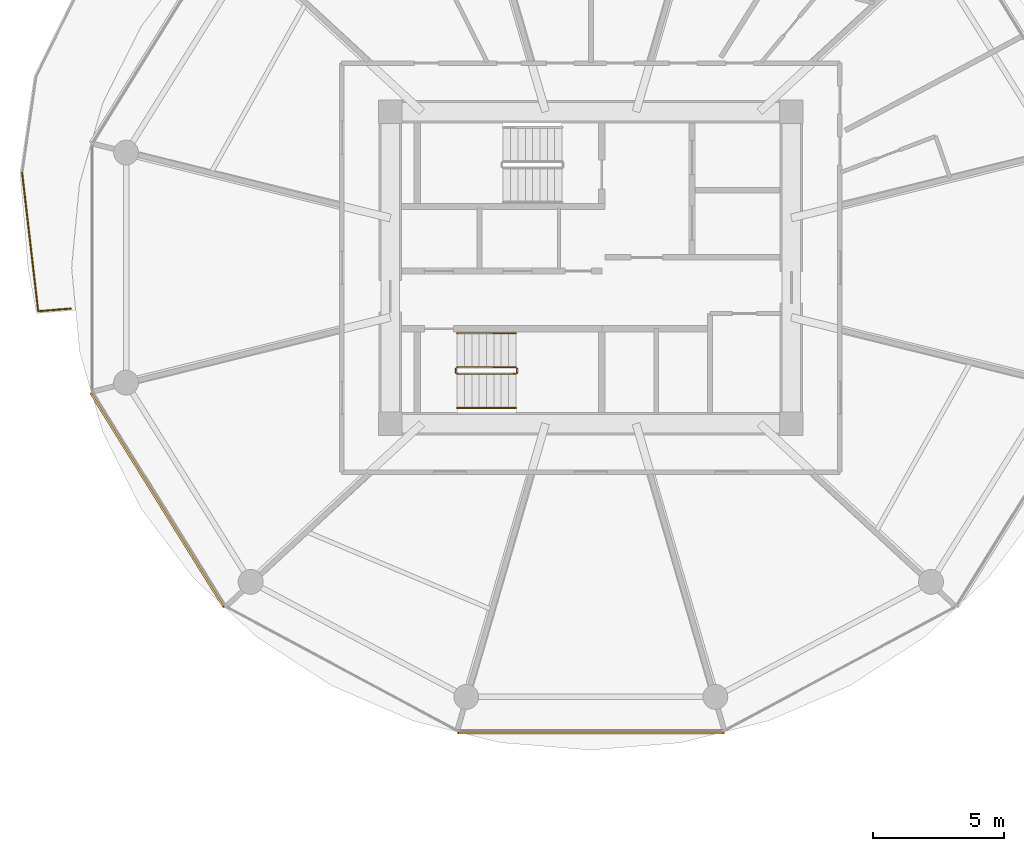
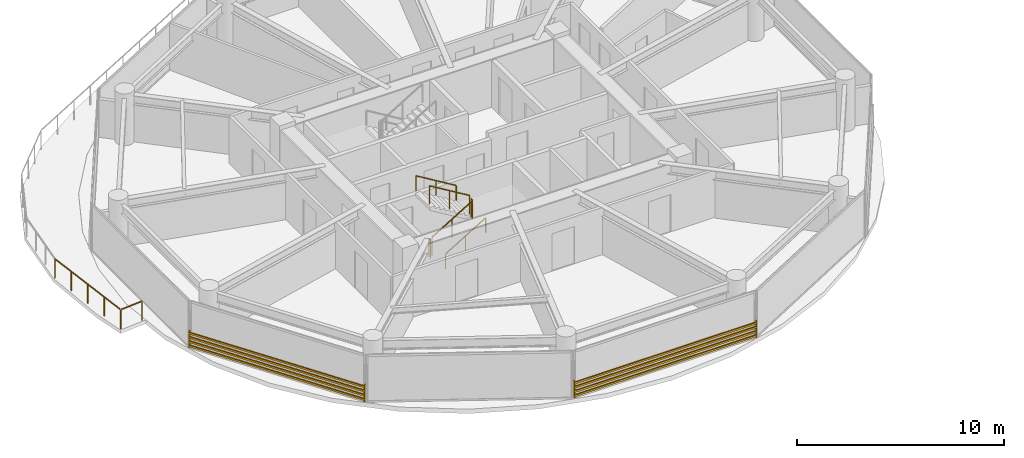
# One storey, part 22 of 26: 7 railings, 2 shading devices.
"""IFC4 building model written with IfcOpenShell, lengths in metres."""

from ifc_helpers import new_model, si_unit, direction, frame, origin, origin_2d, place, context, subcontext, project, spatial, rectangle, extrude, source, transform, mapped, material, type_object, type_shapes, element, save


model = new_model("IFC4")

# Units and contexts
model_context = context("Model", 3, precision=1e-05, world=origin(), true_north=direction((0.0, 1.0)))
body_context = subcontext(model_context, "Body", "Model", "MODEL_VIEW")
ifc_project = project(units=[si_unit("LENGTHUNIT", "METRE"), si_unit("AREAUNIT", "SQUARE_METRE"), si_unit("VOLUMEUNIT", "CUBIC_METRE"), si_unit("PLANEANGLEUNIT", "RADIAN"), si_unit("MASSUNIT", "GRAM", prefix="KILO")], contexts=[model_context])

# Site, building, storey
site_placement = place(None, origin())
site = spatial("IfcSite", under=ifc_project, at=site_placement, CompositionType="ELEMENT")
building_placement = place(site_placement, origin())
building = spatial("IfcBuilding", under=site, at=building_placement, Name="Norrkilde Senior Care Towers", CompositionType="ELEMENT")
storey_placement = place(building_placement, frame((0.0, 0.0, 24.64990234375)))
storey = spatial("IfcBuildingStorey", under=building, at=storey_placement, Name="L06", CompositionType="ELEMENT", Elevation=24.64990234375)

# Railings
ifc_material_1 = material(Name="Anodised Aluminium", Category="aluminium")
railing_type_1 = type_object("IfcRailingType", Name="Balcony Swirl Ribbon Guardrail 1150", PredefinedType="GUARDRAIL", material=ifc_material_1)
railing_1_placement = place(storey_placement, frame((-47.833740234375, -1.560791015625, 0.0)))
element("IfcRailing", 1, at=railing_1_placement, inside=storey, type_object=railing_type_1, Name="L06 Perimeter Safety Guard 04", PredefinedType="GUARDRAIL", context=body_context, shape_type="SweptSolid", body=[
    extrude(rectangle(XDim=0.048095703125, YDim=0.048095703125, at=origin_2d()), frame((0.0, 0.0, 1.1259765625), z_axis=(-0.996590113938, -0.082511482849, 0.0), x_axis=(0.082511482849, -0.996590113938, 0.0)), (0.0, 0.0, 1.0), 1.207763671875),
    extrude(rectangle(XDim=0.048095703125, YDim=0.048095703125, at=origin_2d()), frame((-1.2490234375, -0.0625, 1.1259765625), z_axis=(-0.115076725695, 0.993356606261, 0.0), x_axis=(-0.993356606261, -0.115076725695, 0.0)), (0.0, 0.0, 1.0), 5.281982421875),
    extrude(rectangle(XDim=0.0419921875, YDim=0.0419921875, at=origin_2d()), origin(), (0.0, 0.0, 1.0), 1.099853515625),
    extrude(rectangle(XDim=0.0419921875, YDim=0.0419921875, at=origin_2d()), frame((-1.244384765625, -0.10302734375, 0.0)), (0.0, 0.0, 1.0), 1.099853515625),
    extrude(rectangle(XDim=0.0419921875, YDim=0.0419921875, at=origin_2d()), frame((-1.3974609375, 1.21875, 0.0)), (0.0, 0.0, 1.0), 1.099853515625),
    extrude(rectangle(XDim=0.0419921875, YDim=0.0419921875, at=origin_2d()), frame((-1.55078125, 2.540771484375, 0.0)), (0.0, 0.0, 1.0), 1.099853515625),
    extrude(rectangle(XDim=0.0419921875, YDim=0.0419921875, at=origin_2d()), frame((-1.703857421875, 3.86279296875, 0.0)), (0.0, 0.0, 1.0), 1.099853515625),
    extrude(rectangle(XDim=0.0419921875, YDim=0.0419921875, at=origin_2d()), frame((-1.85693359375, 5.1845703125, 0.0)), (0.0, 0.0, 1.0), 1.099853515625),
])
ifc_material_2 = material(Name="Stainless Steel", Category="steel")
railing_type_2 = type_object("IfcRailingType", Name="Stair and Terrace Guardrail 1100", PredefinedType="GUARDRAIL", material=ifc_material_2)
railing_2_placement = place(storey_placement, frame((-33.10009765625, -4.050048828125, 0.16943359375)))
element("IfcRailing", 2, at=railing_2_placement, inside=storey, type_object=railing_type_2, Name="L06 ST-W2 stair guard 1", PredefinedType="GUARDRAIL", context=body_context, shape_type="SweptSolid", body=[
    extrude(rectangle(XDim=0.048095703125, YDim=0.048095703125, at=origin_2d()), frame((0.0, 0.0, 1.076171875), z_axis=(0.855512035549, 0.0, 0.517782924622), x_axis=(0.0, 1.0, 0.0)), (0.0, 0.0, 1.0), 2.618408203125),
    extrude(rectangle(XDim=0.0419921875, YDim=0.0419921875, at=origin_2d()), origin(), (0.0, 0.0, 1.0), 1.050048828125),
    extrude(rectangle(XDim=0.0419921875, YDim=0.0419921875, at=origin_2d()), frame((1.1201171875, 0.0, 0.677734375)), (0.0, 0.0, 1.0), 1.050048828125),
    extrude(rectangle(XDim=0.0419921875, YDim=0.0419921875, at=origin_2d()), frame((2.239990234375, 0.0, 1.355712890625)), (0.0, 0.0, 1.0), 1.050048828125),
])
railing_3_placement = place(storey_placement, frame((-30.81005859375, -4.0, 1.525146484375)))
element("IfcRailing", 3, at=railing_3_placement, inside=storey, type_object=railing_type_2, Name="L06 ST-W2 stair guard 2", PredefinedType="GUARDRAIL", context=body_context, shape_type="SweptSolid", body=[
    extrude(rectangle(XDim=0.048095703125, YDim=0.048095703125, at=origin_2d()), frame((0.0, 0.0, 1.076171875), z_axis=(0.0, 1.0, 0.0), x_axis=(-1.0, 0.0, 0.0)), (0.0, 0.0, 1.0), 0.14990234375),
    extrude(rectangle(XDim=0.0419921875, YDim=0.0419921875, at=origin_2d()), origin(), (0.0, 0.0, 1.0), 1.050048828125),
    extrude(rectangle(XDim=0.0419921875, YDim=0.0419921875, at=origin_2d()), frame((0.0, 0.14990234375, 0.0)), (0.0, 0.0, 1.0), 1.050048828125),
])
railing_4_placement = place(storey_placement, frame((-30.860107421875, -3.800048828125, 1.694580078125)))
element("IfcRailing", 4, at=railing_4_placement, inside=storey, type_object=railing_type_2, Name="L06 ST-W2 stair guard 3", PredefinedType="GUARDRAIL", context=body_context, shape_type="SweptSolid", body=[
    extrude(rectangle(XDim=0.048095703125, YDim=0.048095703125, at=origin_2d()), frame((0.0, 0.0, 1.076171875), z_axis=(-0.855553338991, 0.0, 0.51771467445), x_axis=(0.0, -1.0, 0.0)), (0.0, 0.0, 1.0), 2.6181640625),
    extrude(rectangle(XDim=0.0419921875, YDim=0.0419921875, at=origin_2d()), origin(), (0.0, 0.0, 1.0), 1.050048828125),
    extrude(rectangle(XDim=0.0419921875, YDim=0.0419921875, at=origin_2d()), frame((-1.1201171875, 0.0, 0.677734375)), (0.0, 0.0, 1.0), 1.050048828125),
    extrude(rectangle(XDim=0.0419921875, YDim=0.0419921875, at=origin_2d()), frame((-2.239990234375, 0.0, 1.35546875)), (0.0, 0.0, 1.0), 1.050048828125),
])
railing_5_placement = place(storey_placement, frame((-33.14990234375, -4.0, 0.0)))
element("IfcRailing", 5, at=railing_5_placement, inside=storey, type_object=railing_type_2, Name="L06 ST-W2 stair guard 4", PredefinedType="GUARDRAIL", context=body_context, shape_type="SweptSolid", body=[
    extrude(rectangle(XDim=0.048095703125, YDim=0.048095703125, at=origin_2d()), frame((0.0, 0.0, 1.076171875), z_axis=(0.0, 1.0, 0.0), x_axis=(-1.0, 0.0, 0.0)), (0.0, 0.0, 1.0), 0.14990234375),
    extrude(rectangle(XDim=0.0419921875, YDim=0.0419921875, at=origin_2d()), origin(), (0.0, 0.0, 1.0), 1.050048828125),
    extrude(rectangle(XDim=0.0419921875, YDim=0.0419921875, at=origin_2d()), frame((0.0, 0.14990234375, 0.0)), (0.0, 0.0, 1.0), 1.050048828125),
])
ifc_material_3 = material(Name="Nordic Ash Timber", Category="wood")
railing_type_3 = type_object("IfcRailingType", Name="Wall and Stair Handrail 900", PredefinedType="HANDRAIL", material=ifc_material_3)
railing_6_placement = place(storey_placement, frame((-33.10009765625, -5.35009765625, 0.16943359375)))
element("IfcRailing", 6, at=railing_6_placement, inside=storey, type_object=railing_type_3, Name="L06 ST-W2 stair handrail 1", PredefinedType="HANDRAIL", context=body_context, shape_type="SweptSolid", body=[
    extrude(rectangle(XDim=0.048095703125, YDim=0.048095703125, at=origin_2d()), frame((0.0, 0.0, 0.8759765625), z_axis=(0.855512035549, 0.0, 0.517782924622), x_axis=(0.0, 1.0, 0.0)), (0.0, 0.0, 1.0), 2.618408203125),
    extrude(rectangle(XDim=0.0419921875, YDim=0.0419921875, at=origin_2d()), origin(), (0.0, 0.0, 1.0), 0.849853515625),
    extrude(rectangle(XDim=0.0419921875, YDim=0.0419921875, at=origin_2d()), frame((1.1201171875, 0.0, 0.677734375)), (0.0, 0.0, 1.0), 0.849853515625),
    extrude(rectangle(XDim=0.0419921875, YDim=0.0419921875, at=origin_2d()), frame((2.239990234375, 0.0, 1.355712890625)), (0.0, 0.0, 1.0), 0.849853515625),
])
railing_7_placement = place(storey_placement, frame((-30.860107421875, -2.5, 1.694580078125)))
element("IfcRailing", 7, at=railing_7_placement, inside=storey, type_object=railing_type_3, Name="L06 ST-W2 stair handrail 2", PredefinedType="HANDRAIL", context=body_context, shape_type="SweptSolid", body=[
    extrude(rectangle(XDim=0.048095703125, YDim=0.048095703125, at=origin_2d()), frame((0.0, 0.0, 0.8759765625), z_axis=(-0.855553338991, 0.0, 0.51771467445), x_axis=(0.0, -1.0, 0.0)), (0.0, 0.0, 1.0), 2.6181640625),
    extrude(rectangle(XDim=0.0419921875, YDim=0.0419921875, at=origin_2d()), origin(), (0.0, 0.0, 1.0), 0.849853515625),
    extrude(rectangle(XDim=0.0419921875, YDim=0.0419921875, at=origin_2d()), frame((-1.1201171875, 0.0, 0.677734375)), (0.0, 0.0, 1.0), 0.849853515625),
    extrude(rectangle(XDim=0.0419921875, YDim=0.0419921875, at=origin_2d()), frame((-2.239990234375, 0.0, 1.35546875)), (0.0, 0.0, 1.0), 0.849853515625),
])

# Shading devices
ifc_material_4 = material(Name="Architectural Terracotta", Category="masonry")
shading_device_type = type_object("IfcShadingDeviceType", Name="Horizontal Terracotta Baguette Rack", PredefinedType="USERDEFINED", material=ifc_material_4)
shared_shape_1 = source(origin(), body_context, "Body", "SweptSolid", [
    extrude(rectangle(XDim=0.070068359375, YDim=0.110107421875, at=origin_2d()), frame((0.0, 0.090087890625, 0.125), z_axis=(1.0, 0.0, 0.0), x_axis=(0.0, 1.0, 0.0)), (0.0, 0.0, 1.0), 9.64892578125),
    extrude(rectangle(XDim=0.070068359375, YDim=0.110107421875, at=origin_2d()), frame((0.0, 0.090087890625, 0.375), z_axis=(1.0, 0.0, 0.0), x_axis=(0.0, 1.0, 0.0)), (0.0, 0.0, 1.0), 9.64892578125),
    extrude(rectangle(XDim=0.070068359375, YDim=0.110107421875, at=origin_2d()), frame((0.0, 0.090087890625, 0.625), z_axis=(1.0, 0.0, 0.0), x_axis=(0.0, 1.0, 0.0)), (0.0, 0.0, 1.0), 9.64892578125),
    extrude(rectangle(XDim=0.070068359375, YDim=0.110107421875, at=origin_2d()), frame((0.0, 0.090087890625, 0.875), z_axis=(1.0, 0.0, 0.0), x_axis=(0.0, 1.0, 0.0)), (0.0, 0.0, 1.0), 9.64892578125),
    extrude(rectangle(XDim=0.050048828125, YDim=0.1552734375, at=origin_2d()), frame((0.02490234375, 0.047607421875, 0.0)), (0.0, 0.0, 1.0), 1.0),
    extrude(rectangle(XDim=0.050048828125, YDim=0.1552734375, at=origin_2d()), frame((9.6240234375, 0.047607421875, 0.0)), (0.0, 0.0, 1.0), 1.0),
])
shading_device_1_placement = place(storey_placement, frame((-41.915771484375, -12.926025390625, 0.080078125), z_axis=(0.0, 0.0, 1.0), x_axis=(-0.527908506655, 0.849299124538, 0.0)))
element("IfcShadingDevice", 8, at=shading_device_1_placement, inside=storey, type_object=shading_device_type, Name="L06 Drum W Terracotta Baguette Screen 06", ObjectType="BAGUETTE", PredefinedType="USERDEFINED", context=body_context, shape_type="MappedRepresentation", body=[
    mapped(shared_shape_1, transform((0.0, 0.0, 0.0), x_axis=(1.0, 0.0, 0.0), y_axis=(0.0, 1.0, 0.0), z_axis=(0.0, 0.0, 1.0), scale=1.0)),
])
shared_shape_2 = source(origin(), body_context, "Body", "SweptSolid", [
    extrude(rectangle(XDim=0.070068359375, YDim=0.110107421875, at=origin_2d()), frame((0.0, 0.090087890625, 0.125), z_axis=(1.0, 0.0, 0.0), x_axis=(0.0, 1.0, 0.0)), (0.0, 0.0, 1.0), 10.18701171875),
    extrude(rectangle(XDim=0.070068359375, YDim=0.110107421875, at=origin_2d()), frame((0.0, 0.090087890625, 0.375), z_axis=(1.0, 0.0, 0.0), x_axis=(0.0, 1.0, 0.0)), (0.0, 0.0, 1.0), 10.18701171875),
    extrude(rectangle(XDim=0.070068359375, YDim=0.110107421875, at=origin_2d()), frame((0.0, 0.090087890625, 0.625), z_axis=(1.0, 0.0, 0.0), x_axis=(0.0, 1.0, 0.0)), (0.0, 0.0, 1.0), 10.18701171875),
    extrude(rectangle(XDim=0.070068359375, YDim=0.110107421875, at=origin_2d()), frame((0.0, 0.090087890625, 0.875), z_axis=(1.0, 0.0, 0.0), x_axis=(0.0, 1.0, 0.0)), (0.0, 0.0, 1.0), 10.18701171875),
    extrude(rectangle(XDim=0.050048828125, YDim=0.1552734375, at=origin_2d()), frame((0.02490234375, 0.047607421875, 0.0)), (0.0, 0.0, 1.0), 1.0),
    extrude(rectangle(XDim=0.050048828125, YDim=0.1552734375, at=origin_2d()), frame((10.162109375, 0.047607421875, 0.0)), (0.0, 0.0, 1.0), 1.0),
])
type_shapes(shading_device_type, [shared_shape_1, shared_shape_2])
shading_device_2_placement = place(storey_placement, frame((-22.906494140625, -17.6572265625, 0.080078125), z_axis=(0.0, 0.0, 1.0), x_axis=(-1.0, 0.0, 0.0)))
element("IfcShadingDevice", 9, at=shading_device_2_placement, inside=storey, type_object=shading_device_type, Name="L06 Drum W Terracotta Baguette Screen 08", ObjectType="BAGUETTE", PredefinedType="USERDEFINED", context=body_context, shape_type="MappedRepresentation", body=[
    mapped(shared_shape_2, transform((0.0, 0.0, 0.0), x_axis=(1.0, 0.0, 0.0), y_axis=(0.0, 1.0, 0.0), z_axis=(0.0, 0.0, 1.0), scale=1.0)),
])

save(model, "model.ifc")
